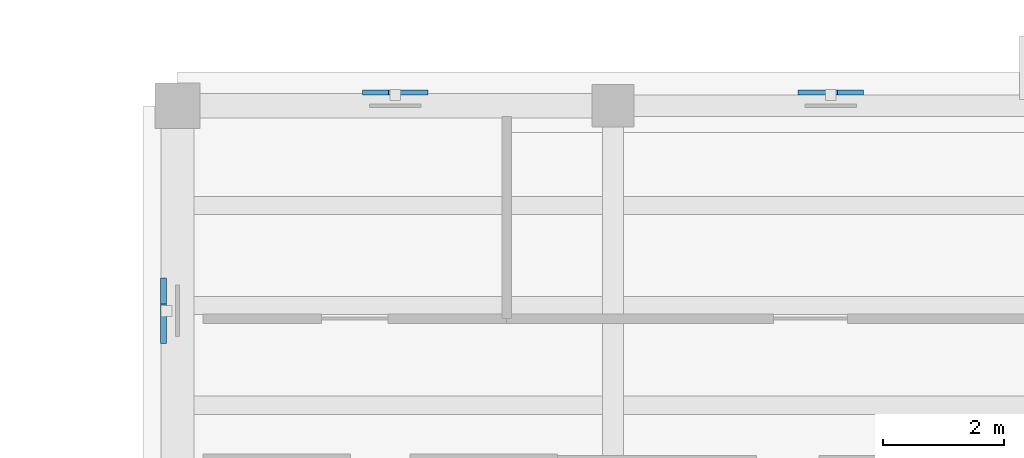
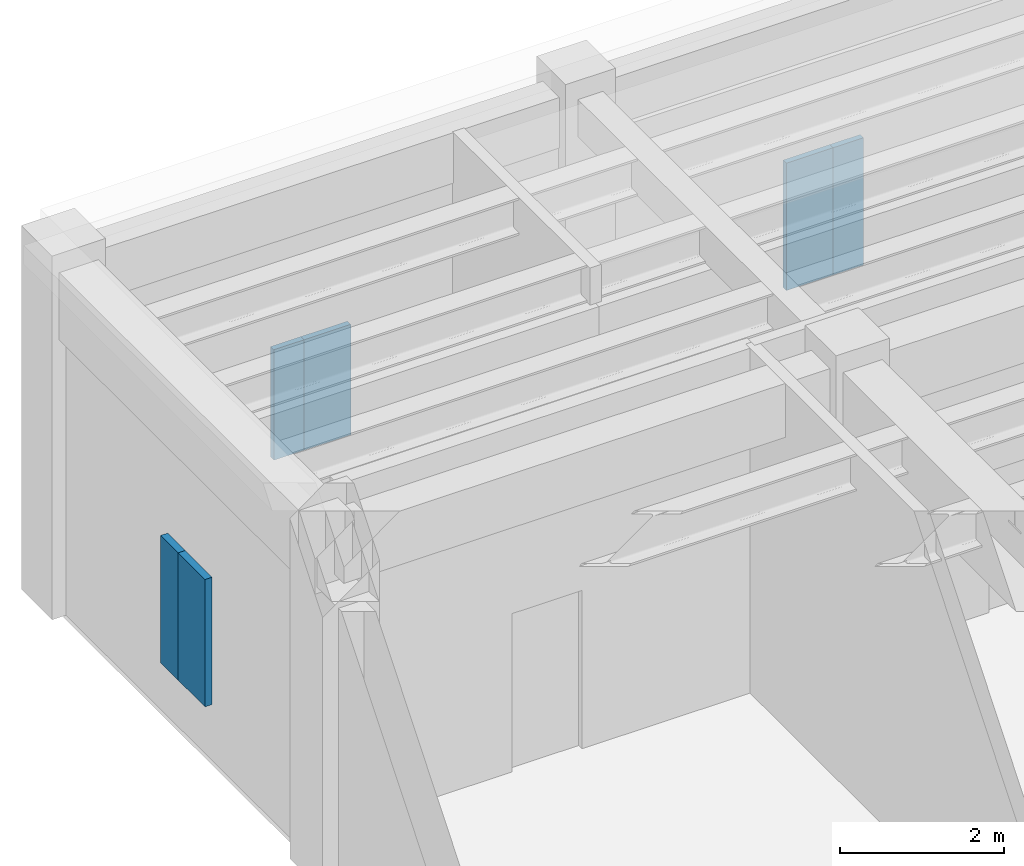
# One storey, part 61 of 100: 6 plates.
"""IFC4 building model written with IfcOpenShell, lengths in metres."""

from ifc_helpers import new_model, si_unit, direction, frame, origin, origin_2d, place, context, subcontext, project, spatial, rectangle, extrude, material, layer, layer_set, type_object, element, save


model = new_model("IFC4")

# Units and contexts
model_context = context("Model", 3, precision=1e-05, world=origin(), true_north=direction((0.0, 1.0)))
body_context = subcontext(model_context, "Body", "Model", "MODEL_VIEW")
ifc_project = project(units=[si_unit("LENGTHUNIT", "METRE"), si_unit("AREAUNIT", "SQUARE_METRE"), si_unit("VOLUMEUNIT", "CUBIC_METRE"), si_unit("PLANEANGLEUNIT", "RADIAN"), si_unit("MASSUNIT", "GRAM", prefix="KILO")], contexts=[model_context])

# Site, building, storey
site_placement = place(None, origin())
site = spatial("IfcSite", under=ifc_project, at=site_placement, CompositionType="ELEMENT")
building_placement = place(site_placement, origin())
building = spatial("IfcBuilding", under=site, at=building_placement, Name="Mithqara Police Headquarters", CompositionType="ELEMENT")
storey_placement = place(building_placement, origin())
storey = spatial("IfcBuildingStorey", under=building, at=storey_placement, Name="L00", CompositionType="ELEMENT", Elevation=0.0)

# Plates
ifc_material = material(Name="Limestone ashlar masonry, 45 MPa", Category="masonry")
ifc_layer_1 = layer(ifc_material, 0.10009765625, Name="Limestone ashlar masonry, 45 MPa")
ifc_layer_set_1 = layer_set([ifc_layer_1], Name="Limestone ashlar masonry, 45 MPa")
plate_type_1 = type_object("IfcPlateType", Name="STONE SCREEN 100", PredefinedType="USERDEFINED", material=ifc_layer_set_1)
for number, where, z_axis, x_axis, name in (
    (1, (108.3701171875, 110.822509765625, 0.830078125), (0.0, 0.0, 1.0), (0.0, 1.0, 0.0), "L00 Pierced Limestone Vertical-Slit Panel 23"),
    (2, (108.3701171875, 110.3974609375, 0.830078125), (0.0, 0.0, 1.0), (0.0, 1.0, 0.0), "L00 Pierced Limestone Vertical-Slit Panel 24"),
):
    element("IfcPlate", number, at=place(storey_placement, frame(where, z_axis=z_axis, x_axis=x_axis)), inside=storey, type_object=plate_type_1, Name=name, ObjectType="STONE SCREEN", PredefinedType="USERDEFINED", context=body_context, shape_type="SweptSolid", body=[
        extrude(rectangle(XDim=0.656005859375, YDim=0.10009765625, at=origin_2d()), origin(), (0.0, 0.0, 1.0), 1.889892578125),
    ])
ifc_layer_2 = layer(ifc_material, 0.080078125, Name="Limestone ashlar masonry, 45 MPa")
ifc_layer_set_2 = layer_set([ifc_layer_2], Name="Limestone ashlar masonry, 45 MPa")
plate_type_2 = type_object("IfcPlateType", Name="STONE SCREEN 80", PredefinedType="USERDEFINED", material=ifc_layer_set_2)
for number, where, z_axis, x_axis, name in (
    (3, (112.41259765625, 114.219970703125, 0.830078125), (0.0, 0.0, 1.0), (1.0, 0.0, 0.0), "L00 Pierced Limestone Vertical-Slit Panel 13"),
    (4, (111.987548828125, 114.219970703125, 0.830078125), (0.0, 0.0, 1.0), (1.0, 0.0, 0.0), "L00 Pierced Limestone Vertical-Slit Panel 14"),
):
    element("IfcPlate", number, at=place(storey_placement, frame(where, z_axis=z_axis, x_axis=x_axis)), inside=storey, type_object=plate_type_2, Name=name, ObjectType="STONE SCREEN", PredefinedType="USERDEFINED", context=body_context, shape_type="SweptSolid", body=[
        extrude(rectangle(XDim=0.656005859375, YDim=0.080078125, at=origin_2d()), origin(), (0.0, 0.0, 1.0), 1.639892578125),
    ])
for number, where, z_axis, x_axis, name in (
    (5, (119.612548828125, 114.219970703125, 0.830078125), (0.0, 0.0, 1.0), (1.0, 0.0, 0.0), "L00 Pierced Limestone Vertical-Slit Panel 15"),
    (6, (119.1875, 114.219970703125, 0.830078125), (0.0, 0.0, 1.0), (1.0, 0.0, 0.0), "L00 Pierced Limestone Vertical-Slit Panel 16"),
):
    element("IfcPlate", number, at=place(storey_placement, frame(where, z_axis=z_axis, x_axis=x_axis)), inside=storey, type_object=plate_type_2, Name=name, ObjectType="STONE SCREEN", PredefinedType="USERDEFINED", context=body_context, shape_type="SweptSolid", body=[
        extrude(rectangle(XDim=0.656005859375, YDim=0.080078125, at=origin_2d()), origin(), (0.0, 0.0, 1.0), 1.889892578125),
    ])

save(model, "model.ifc")
